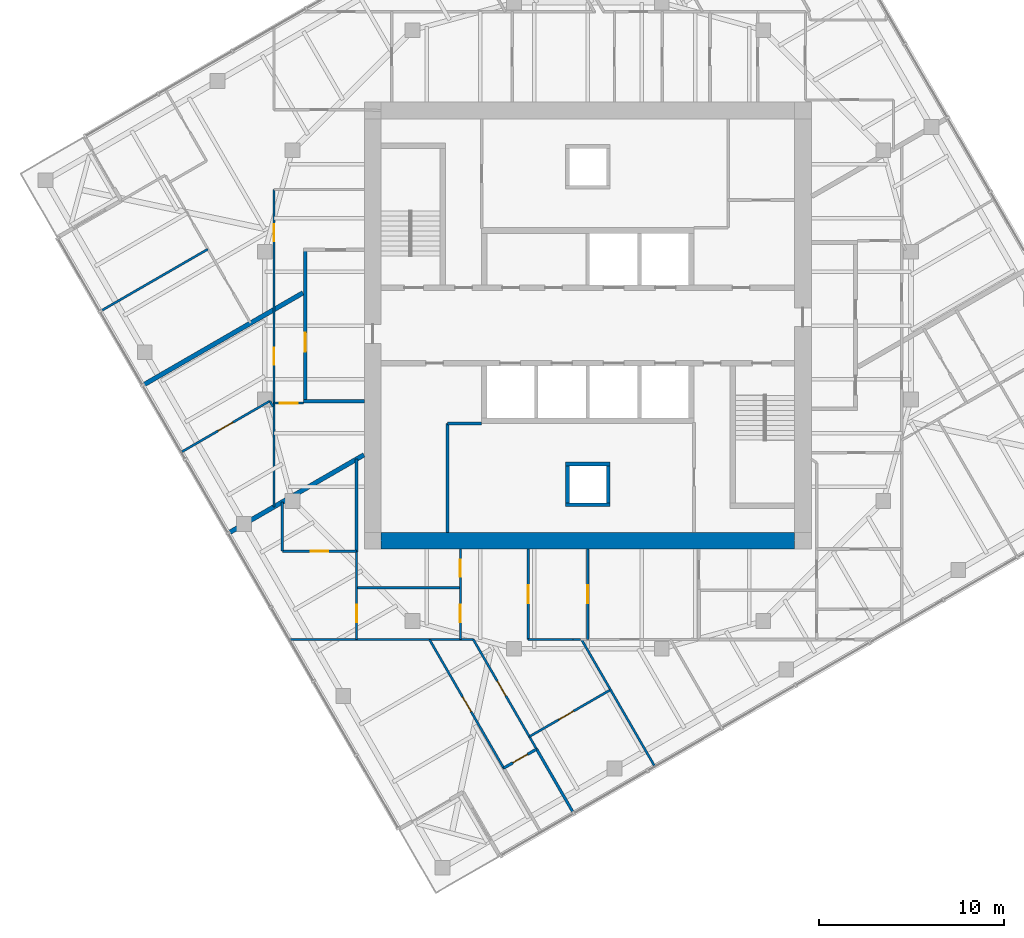
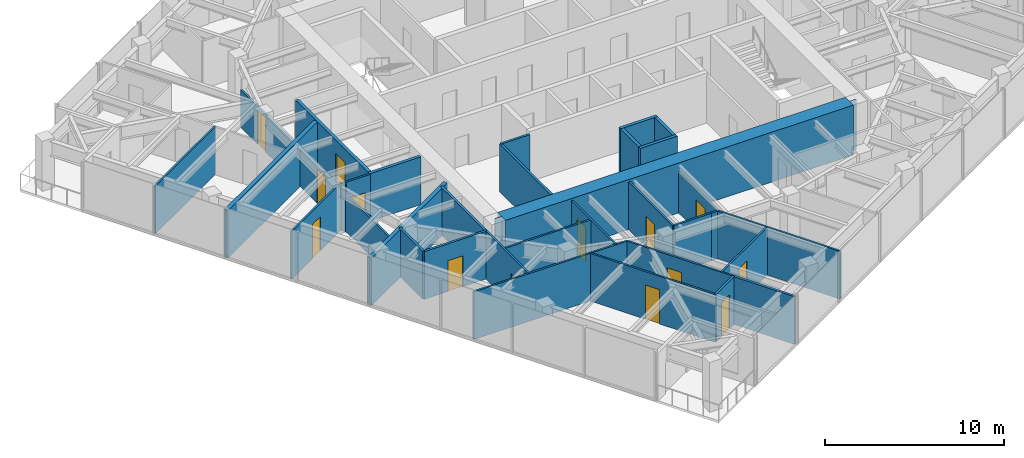
# One storey, part 7 of 13: 33 walls, 15 doors, 15 openings.
"""IFC4 building model written with IfcOpenShell, lengths in metres."""

from ifc_helpers import new_model, si_unit, direction, frame, frame_2d, origin, place, context, subcontext, project, spatial, polyline, rectangle, outline, extrude, material, layer, layer_set, type_object, element, fill, save


model = new_model("IFC4")

# Units and contexts
model_context = context("Model", 3, precision=1e-05, world=origin(), true_north=direction((0.0, 1.0)))
body_context = subcontext(model_context, "Body", "Model", "MODEL_VIEW")
ifc_project = project(units=[si_unit("LENGTHUNIT", "METRE"), si_unit("AREAUNIT", "SQUARE_METRE"), si_unit("VOLUMEUNIT", "CUBIC_METRE"), si_unit("PLANEANGLEUNIT", "RADIAN"), si_unit("MASSUNIT", "GRAM", prefix="KILO")], contexts=[model_context])

# Site, building, storey
site_placement = place(None, origin())
site = spatial("IfcSite", under=ifc_project, at=site_placement, CompositionType="ELEMENT")
building_placement = place(site_placement, origin())
building = spatial("IfcBuilding", under=site, at=building_placement, Name="Torsade Residences", CompositionType="ELEMENT")
storey_placement = place(building_placement, frame((0.0, 0.0, 208.199951171875)))
storey = spatial("IfcBuildingStorey", under=building, at=storey_placement, Name="L57", CompositionType="ELEMENT", Elevation=208.199951171875)

# Wall
ifc_material_1 = material(Name="Concrete 80 MPa", Category="concrete")
ifc_layer_1 = layer(ifc_material_1, 0.89990234375)
ifc_layer_set_1 = layer_set([ifc_layer_1], Name="Concrete 80 MPa")
wall_type_1 = type_object("IfcWallType", Name="CORE WALL 900", PredefinedType="SHEAR", material=ifc_layer_set_1)
wall_1_placement = place(storey_placement, frame((51.199951171875, 18.35009765625, 0.0), z_axis=(0.0, 0.0, 1.0), x_axis=(-1.0, 0.0, 0.0)))
element("IfcWall", 1, at=wall_1_placement, inside=storey, type_object=wall_type_1, Name="Core wall S L57", PredefinedType="SHEAR", context=body_context, shape_type="SweptSolid", body=[
    extrude(outline(polyline([(0.0, -0.449951171875), (22.39990234375, -0.449951171875), (22.39990234375, -0.02490234375), (22.849853515625, -0.02490234375), (22.849853515625, 0.02490234375), (22.39990234375, 0.02490234375), (22.39990234375, 0.449951171875), (0.0, 0.449951171875), (0.0, 0.02490234375), (-0.449951171875, 0.02490234375), (-0.449951171875, -0.02490234375), (0.0, -0.02490234375), (0.0, -0.449951171875)])), origin(), (0.0, 0.0, 1.0), 3.400146484375),
])

# Wall, opening, door
ifc_material_2 = material(Name="Plasterboard on steel stud", Category="steel")
ifc_layer_2 = layer(ifc_material_2, 0.199951171875)
ifc_layer_set_2 = layer_set([ifc_layer_2], Name="Plasterboard on steel stud")
wall_type_2 = type_object("IfcWallType", Name="CORRIDOR WALL 200", PredefinedType="PARTITIONING", material=ifc_layer_set_2)
wall_2_placement = place(storey_placement, frame((24.699951171875, 25.89990234375, 0.0), z_axis=(0.0, 0.0, 1.0), x_axis=(0.0, 1.0, 0.0)))
wall_2 = element("IfcWall", 2, at=wall_2_placement, inside=storey, type_object=wall_type_2, Name="Corridor wall L57", PredefinedType="PARTITIONING", context=body_context, shape_type="SweptSolid", body=[
    extrude(rectangle(XDim=8.2001953125, YDim=0.199951171875, at=frame_2d((4.10009765625, 0.0))), origin(), (0.0, 0.0, 1.0), 3.25),
])
opening_1_placement = place(wall_2_placement, frame((2.68701171875, 0.0, 0.0)))
opening_1 = element("IfcOpeningElement", 3, at=opening_1_placement, cuts=wall_2, Name="Opening D01", PredefinedType="OPENING", context=body_context, shape_type="SweptSolid", body=[
    extrude(rectangle(XDim=1.02001953125, YDim=2.340087890625, at=frame_2d((0.510009765625, 1.169921875))), frame((0.0, 0.10986328125, 0.0), z_axis=(0.0, -1.0, 0.0), x_axis=(1.0, 0.0, 0.0)), (0.0, 0.0, 1.0), 0.219970703125),
])
ifc_material_3 = material(Name="Solid-core timber fire door", Category="wood")
door_type_1 = type_object("IfcDoorType", Name="APARTMENT ENTRY DOOR 1020x2340", OperationType="NOTDEFINED", PredefinedType="DOOR", material=ifc_material_3)
door_1_placement = place(opening_1_placement, origin())
door_1 = element("IfcDoor", 4, at=door_1_placement, inside=storey, type_object=door_type_1, Name="Door Residential corridor to Kitchen and dining", OperationType="SINGLE_SWING_RIGHT", OverallHeight=2.340087890625, OverallWidth=1.02001953125, PredefinedType="DOOR", context=body_context, shape_type="SweptSolid", body=[
    extrude(rectangle(XDim=1.02001953125, YDim=2.340087890625, at=frame_2d((0.510009765625, 1.169921875))), frame((0.0, 0.02490234375, 0.0), z_axis=(0.0, -1.0, 0.0), x_axis=(1.0, 0.0, 0.0)), (0.0, 0.0, 1.0), 0.050048828125),
])
fill(opening_1, door_1)

# Wall
wall_3_placement = place(storey_placement, frame((27.89990234375, 25.89990234375, 0.0), z_axis=(0.0, 0.0, 1.0), x_axis=(-1.0, 0.0, 0.0)))
element("IfcWall", 5, at=wall_3_placement, inside=storey, type_object=wall_type_2, Name="Corridor wall L57", PredefinedType="PARTITIONING", context=body_context, shape_type="SweptSolid", body=[
    extrude(rectangle(XDim=3.2998046875, YDim=0.199951171875, at=frame_2d((1.64990234375, 0.0))), origin(), (0.0, 0.0, 1.0), 3.25),
])

# Wall, opening, door
ifc_material_4 = material(Name="Plasterboard on steel stud", Category="steel")
ifc_layer_3 = layer(ifc_material_4, 0.1201171875)
ifc_layer_set_3 = layer_set([ifc_layer_3], Name="Plasterboard on steel stud")
wall_type_3 = type_object("IfcWallType", Name="PARTITION 120", PredefinedType="PARTITIONING", material=ifc_layer_set_3)
wall_4_placement = place(storey_placement, frame((24.60009765625, 25.800048828125, 0.0), z_axis=(0.0, 0.0, 1.0), x_axis=(-1.0, 0.0, 0.0)))
wall_4 = element("IfcWall", 6, at=wall_4_placement, inside=storey, type_object=wall_type_3, Name="Partition L57", PredefinedType="PARTITIONING", context=body_context, shape_type="SweptSolid", body=[
    extrude(rectangle(XDim=1.60009765625, YDim=0.1201171875, at=frame_2d((0.800048828125, 0.0))), origin(), (0.0, 0.0, 1.0), 3.25),
])
opening_2_placement = place(wall_4_placement, frame((0.320068359375, 0.0, 0.0)))
opening_2 = element("IfcOpeningElement", 7, at=opening_2_placement, cuts=wall_4, Name="Opening D05", PredefinedType="OPENING", context=body_context, shape_type="SweptSolid", body=[
    extrude(rectangle(XDim=0.9599609375, YDim=2.10009765625, at=frame_2d((0.47998046875, 1.050048828125))), frame((0.0, 0.070068359375, 0.0), z_axis=(0.0, -1.0, 0.0), x_axis=(1.0, 0.0, 0.0)), (0.0, 0.0, 1.0), 0.14013671875),
])
ifc_material_5 = material(Name="Hollow-core timber door in a steel cavity frame", Category="steel")
door_type_2 = type_object("IfcDoorType", Name="BATHROOM CAVITY SLIDING DOOR 960", OperationType="SLIDING_TO_LEFT", PredefinedType="DOOR", material=ifc_material_5)
door_2_placement = place(opening_2_placement, origin())
door_2 = element("IfcDoor", 8, at=door_2_placement, inside=storey, type_object=door_type_2, Name="Door Kitchen and dining to Bathroom", OperationType="SLIDING_TO_LEFT", OverallHeight=2.10009765625, OverallWidth=0.9599609375, PredefinedType="DOOR", context=body_context, shape_type="SweptSolid", body=[
    extrude(rectangle(XDim=0.9599609375, YDim=2.10009765625, at=frame_2d((0.47998046875, 1.050048828125))), frame((0.0, 0.02490234375, 0.0), z_axis=(0.0, -1.0, 0.0), x_axis=(1.0, 0.0, 0.0)), (0.0, 0.0, 1.0), 0.050048828125),
])
fill(opening_2, door_2)

# Wall, openings, doors
wall_5_placement = place(storey_placement, frame((23.0, 20.18505859375, 0.0), z_axis=(0.0, 0.0, 1.0), x_axis=(0.0, 1.0, 0.0)))
wall_5 = element("IfcWall", 9, at=wall_5_placement, inside=storey, type_object=wall_type_3, Name="Partition L57", PredefinedType="PARTITIONING", context=body_context, shape_type="SweptSolid", body=[
    extrude(rectangle(XDim=17.180419921875, YDim=0.1201171875, at=frame_2d((8.59033203125, 0.0))), origin(), (0.0, 0.0, 1.0), 2.550048828125),
])
opening_3_placement = place(wall_5_placement, frame((7.68798828125, 0.0, 0.0)))
opening_3 = element("IfcOpeningElement", 10, at=opening_3_placement, cuts=wall_5, Name="Opening D02", PredefinedType="OPENING", context=body_context, shape_type="SweptSolid", body=[
    extrude(rectangle(XDim=0.919921875, YDim=2.340087890625, at=frame_2d((0.4599609375, 1.169921875))), frame((0.0, 0.070068359375, 0.0), z_axis=(0.0, -1.0, 0.0), x_axis=(1.0, 0.0, 0.0)), (0.0, 0.0, 1.0), 0.14013671875),
])
opening_4_placement = place(wall_5_placement, frame((14.37060546875, 0.0, 0.0)))
opening_4 = element("IfcOpeningElement", 11, at=opening_4_placement, cuts=wall_5, Name="Opening D02", PredefinedType="OPENING", context=body_context, shape_type="SweptSolid", body=[
    extrude(rectangle(XDim=0.919921875, YDim=2.340087890625, at=frame_2d((0.4599609375, 1.169921875))), frame((0.0, 0.070068359375, 0.0), z_axis=(0.0, -1.0, 0.0), x_axis=(1.0, 0.0, 0.0)), (0.0, 0.0, 1.0), 0.14013671875),
])
ifc_material_6 = material(Name="Hollow-core timber door", Category="wood")
door_type_3 = type_object("IfcDoorType", Name="INTERNAL DOOR 920x2340", OperationType="NOTDEFINED", PredefinedType="DOOR", material=ifc_material_6)
door_3_placement = place(opening_3_placement, origin())
door_3 = element("IfcDoor", 12, at=door_3_placement, inside=storey, type_object=door_type_3, Name="Door Kitchen and dining to Living room", OperationType="SINGLE_SWING_LEFT", OverallHeight=2.340087890625, OverallWidth=0.919921875, PredefinedType="DOOR", context=body_context, shape_type="SweptSolid", body=[
    extrude(rectangle(XDim=0.919921875, YDim=2.340087890625, at=frame_2d((0.4599609375, 1.169921875))), frame((0.0, 0.02490234375, 0.0), z_axis=(0.0, -1.0, 0.0), x_axis=(1.0, 0.0, 0.0)), (0.0, 0.0, 1.0), 0.050048828125),
])
fill(opening_3, door_3)
door_4_placement = place(opening_4_placement, origin())
door_4 = element("IfcDoor", 13, at=door_4_placement, inside=storey, type_object=door_type_3, Name="Door Kitchen and dining to Living room", OperationType="SINGLE_SWING_LEFT", OverallHeight=2.340087890625, OverallWidth=0.919921875, PredefinedType="DOOR", context=body_context, shape_type="SweptSolid", body=[
    extrude(rectangle(XDim=0.919921875, YDim=2.340087890625, at=frame_2d((0.4599609375, 1.169921875))), frame((0.0, 0.02490234375, 0.0), z_axis=(0.0, -1.0, 0.0), x_axis=(1.0, 0.0, 0.0)), (0.0, 0.0, 1.0), 0.050048828125),
])
fill(opening_4, door_4)

# Wall
wall_6_placement = place(storey_placement, frame((22.949951171875, 25.612060546875, 0.0), z_axis=(0.0, 0.0, 1.0), x_axis=(-0.49996389635, 0.866046247233, 0.0)))
element("IfcWall", 14, at=wall_6_placement, inside=storey, type_object=wall_type_3, Name="Partition L57", PredefinedType="PARTITIONING", context=body_context, shape_type="SweptSolid", body=[
    extrude(rectangle(XDim=0.35009765625, YDim=0.1201171875, at=frame_2d((0.175048828125, 0.0))), origin(), (0.0, 0.0, 1.0), 3.25),
])

# Wall, opening, door
wall_7_placement = place(storey_placement, frame((22.77490234375, 25.915283203125, 0.0), z_axis=(0.0, 0.0, 1.0), x_axis=(-0.866019274569, -0.500010615962, 0.0)))
wall_7 = element("IfcWall", 15, at=wall_7_placement, inside=storey, type_object=wall_type_3, Name="Partition L57", PredefinedType="PARTITIONING", context=body_context, shape_type="SweptSolid", body=[
    extrude(rectangle(XDim=5.50048828125, YDim=0.1201171875, at=frame_2d((2.750244140625, 0.0))), origin(), (0.0, 0.0, 1.0), 3.25),
])
opening_5_placement = place(wall_7_placement, frame((2.31005859375, 0.0, 0.0)))
opening_5 = element("IfcOpeningElement", 16, at=opening_5_placement, cuts=wall_7, Name="Opening D02", PredefinedType="OPENING", context=body_context, shape_type="SweptSolid", body=[
    extrude(rectangle(XDim=0.919921875, YDim=2.340087890625, at=frame_2d((0.4599609375, 1.169921875))), frame((0.0, 0.070068359375, 0.0), z_axis=(0.0, -1.0, 0.0), x_axis=(1.0, 0.0, 0.0)), (0.0, 0.0, 1.0), 0.14013671875),
])
door_5_placement = place(opening_5_placement, origin())
door_5 = element("IfcDoor", 17, at=door_5_placement, inside=storey, type_object=door_type_3, Name="Door Living room to Bedroom 1", OperationType="SINGLE_SWING_LEFT", OverallHeight=2.340087890625, OverallWidth=0.919921875, PredefinedType="DOOR", context=body_context, shape_type="SweptSolid", body=[
    extrude(rectangle(XDim=0.919921875, YDim=2.340087890625, at=frame_2d((0.4599609375, 1.169921875))), frame((0.0, 0.02490234375, 0.0), z_axis=(0.0, -1.0, 0.0), x_axis=(1.0, 0.0, 0.0)), (0.0, 0.0, 1.0), 0.050048828125),
])
fill(opening_5, door_5)

# Wall
wall_8_placement = place(storey_placement, frame((27.473388671875, 15.8046875, 0.0), z_axis=(0.0, 0.0, 1.0), x_axis=(1.0, 0.0, 0.0)))
element("IfcWall", 18, at=wall_8_placement, inside=storey, type_object=wall_type_3, Name="Partition L57", PredefinedType="PARTITIONING", context=body_context, shape_type="SweptSolid", body=[
    extrude(rectangle(XDim=5.62451171875, YDim=0.1201171875, at=frame_2d((2.812255859375, 0.0))), origin(), (0.0, 0.0, 1.0), 3.25),
])

# Wall, opening, door
wall_9_placement = place(storey_placement, frame((27.473388671875, 13.0, 0.0), z_axis=(0.0, 0.0, 1.0), x_axis=(0.0, 1.0, 0.0)))
wall_9 = element("IfcWall", 19, at=wall_9_placement, inside=storey, type_object=wall_type_3, Name="Partition L57", PredefinedType="PARTITIONING", context=body_context, shape_type="SweptSolid", body=[
    extrude(rectangle(XDim=4.732177734375, YDim=0.1201171875, at=frame_2d((2.3662109375, 0.0))), origin(), (0.0, 0.0, 1.0), 3.25),
])
opening_6_placement = place(wall_9_placement, frame((0.92236328125, 0.0, 0.0)))
opening_6 = element("IfcOpeningElement", 20, at=opening_6_placement, cuts=wall_9, Name="Opening D05", PredefinedType="OPENING", context=body_context, shape_type="SweptSolid", body=[
    extrude(rectangle(XDim=0.9599609375, YDim=2.10009765625, at=frame_2d((0.47998046875, 1.050048828125))), frame((0.0, 0.070068359375, 0.0), z_axis=(0.0, -1.0, 0.0), x_axis=(1.0, 0.0, 0.0)), (0.0, 0.0, 1.0), 0.14013671875),
])
door_6_placement = place(opening_6_placement, origin())
door_6 = element("IfcDoor", 21, at=door_6_placement, inside=storey, type_object=door_type_2, Name="Door Bathroom to WC", OperationType="SLIDING_TO_LEFT", OverallHeight=2.10009765625, OverallWidth=0.9599609375, PredefinedType="DOOR", context=body_context, shape_type="SweptSolid", body=[
    extrude(rectangle(XDim=0.9599609375, YDim=2.10009765625, at=frame_2d((0.47998046875, 1.050048828125))), frame((0.0, 0.02490234375, 0.0), z_axis=(0.0, -1.0, 0.0), x_axis=(1.0, 0.0, 0.0)), (0.0, 0.0, 1.0), 0.050048828125),
])
fill(opening_6, door_6)

# Wall
wall_10_placement = place(storey_placement, frame((33.79345703125, 13.0, 0.0), z_axis=(0.0, 0.0, 1.0), x_axis=(-1.0, 0.0, 0.0)))
element("IfcWall", 22, at=wall_10_placement, inside=storey, type_object=wall_type_3, Name="Partition L57", PredefinedType="PARTITIONING", context=body_context, shape_type="SweptSolid", body=[
    extrude(rectangle(XDim=9.9130859375, YDim=0.1201171875, at=frame_2d((4.95654296875, 0.0))), origin(), (0.0, 0.0, 1.0), 3.25),
])

# Wall, openings, doors
wall_11_placement = place(storey_placement, frame((33.097900390625, 17.89990234375, 0.0), z_axis=(0.0, 0.0, 1.0), x_axis=(0.0, -1.0, 0.0)))
wall_11 = element("IfcWall", 23, at=wall_11_placement, inside=storey, type_object=wall_type_3, Name="Partition L57", PredefinedType="PARTITIONING", context=body_context, shape_type="SweptSolid", body=[
    extrude(rectangle(XDim=4.89990234375, YDim=0.1201171875, at=frame_2d((2.449951171875, 0.0))), origin(), (0.0, 0.0, 1.0), 3.25),
])
opening_7_placement = place(wall_11_placement, frame((3.017578125, 0.0, 0.0)))
opening_7 = element("IfcOpeningElement", 24, at=opening_7_placement, cuts=wall_11, Name="Opening D05", PredefinedType="OPENING", context=body_context, shape_type="SweptSolid", body=[
    extrude(rectangle(XDim=0.9599609375, YDim=2.10009765625, at=frame_2d((0.47998046875, 1.050048828125))), frame((0.0, 0.070068359375, 0.0), z_axis=(0.0, -1.0, 0.0), x_axis=(1.0, 0.0, 0.0)), (0.0, 0.0, 1.0), 0.14013671875),
])
opening_8_placement = place(wall_11_placement, frame((0.587646484375, 0.0, 0.0)))
opening_8 = element("IfcOpeningElement", 25, at=opening_8_placement, cuts=wall_11, Name="Opening D02", PredefinedType="OPENING", context=body_context, shape_type="SweptSolid", body=[
    extrude(rectangle(XDim=0.919921875, YDim=2.340087890625, at=frame_2d((0.4599609375, 1.169921875))), frame((0.0, 0.070068359375, 0.0), z_axis=(0.0, -1.0, 0.0), x_axis=(1.0, 0.0, 0.0)), (0.0, 0.0, 1.0), 0.14013671875),
])
door_7_placement = place(opening_7_placement, origin())
door_7 = element("IfcDoor", 26, at=door_7_placement, inside=storey, type_object=door_type_2, Name="Door Walk-in robe 4 to Bathroom", OperationType="SLIDING_TO_LEFT", OverallHeight=2.10009765625, OverallWidth=0.9599609375, PredefinedType="DOOR", context=body_context, shape_type="SweptSolid", body=[
    extrude(rectangle(XDim=0.9599609375, YDim=2.10009765625, at=frame_2d((0.47998046875, 1.050048828125))), frame((0.0, 0.02490234375, 0.0), z_axis=(0.0, -1.0, 0.0), x_axis=(1.0, 0.0, 0.0)), (0.0, 0.0, 1.0), 0.050048828125),
])
fill(opening_7, door_7)
door_8_placement = place(opening_8_placement, origin())
door_8 = element("IfcDoor", 27, at=door_8_placement, inside=storey, type_object=door_type_3, Name="Door Walk-in robe 4 to Dressing room", OperationType="SINGLE_SWING_LEFT", OverallHeight=2.340087890625, OverallWidth=0.919921875, PredefinedType="DOOR", context=body_context, shape_type="SweptSolid", body=[
    extrude(rectangle(XDim=0.919921875, YDim=2.340087890625, at=frame_2d((0.4599609375, 1.169921875))), frame((0.0, 0.02490234375, 0.0), z_axis=(0.0, -1.0, 0.0), x_axis=(1.0, 0.0, 0.0)), (0.0, 0.0, 1.0), 0.050048828125),
])
fill(opening_8, door_8)

# Wall, opening, door
wall_12_placement = place(storey_placement, frame((39.993896484375, 17.89990234375, 0.0), z_axis=(0.0, 0.0, 1.0), x_axis=(0.0, -1.0, 0.0)))
wall_12 = element("IfcWall", 28, at=wall_12_placement, inside=storey, type_object=wall_type_3, Name="Partition L57", PredefinedType="PARTITIONING", context=body_context, shape_type="SweptSolid", body=[
    extrude(rectangle(XDim=4.89990234375, YDim=0.1201171875, at=frame_2d((2.449951171875, 0.0))), origin(), (0.0, 0.0, 1.0), 2.796142578125),
])
opening_9_placement = place(wall_12_placement, frame((1.969970703125, 0.0, 0.0)))
opening_9 = element("IfcOpeningElement", 29, at=opening_9_placement, cuts=wall_12, Name="Opening D05", PredefinedType="OPENING", context=body_context, shape_type="SweptSolid", body=[
    extrude(rectangle(XDim=0.9599609375, YDim=2.10009765625, at=frame_2d((0.47998046875, 1.050048828125))), frame((0.0, 0.070068359375, 0.0), z_axis=(0.0, -1.0, 0.0), x_axis=(1.0, 0.0, 0.0)), (0.0, 0.0, 1.0), 0.14013671875),
])
door_9_placement = place(opening_9_placement, origin())
door_9 = element("IfcDoor", 30, at=door_9_placement, inside=storey, type_object=door_type_2, Name="Door Laundry to Ensuite", OperationType="SLIDING_TO_LEFT", OverallHeight=2.10009765625, OverallWidth=0.9599609375, PredefinedType="DOOR", context=body_context, shape_type="SweptSolid", body=[
    extrude(rectangle(XDim=0.9599609375, YDim=2.10009765625, at=frame_2d((0.47998046875, 1.050048828125))), frame((0.0, 0.02490234375, 0.0), z_axis=(0.0, -1.0, 0.0), x_axis=(1.0, 0.0, 0.0)), (0.0, 0.0, 1.0), 0.050048828125),
])
fill(opening_9, door_9)

# Wall
wall_13_placement = place(storey_placement, frame((39.191650390625, 13.0, 0.0), z_axis=(0.0, 0.0, 1.0), x_axis=(-1.0, 0.0, 0.0)))
element("IfcWall", 31, at=wall_13_placement, inside=storey, type_object=wall_type_3, Name="Partition L57", PredefinedType="PARTITIONING", context=body_context, shape_type="SweptSolid", body=[
    extrude(rectangle(XDim=2.420654296875, YDim=0.1201171875, at=frame_2d((1.21044921875, 0.0))), origin(), (0.0, 0.0, 1.0), 3.25),
])

# Wall, opening, door
wall_14_placement = place(storey_placement, frame((36.77099609375, 13.0, 0.0), z_axis=(0.0, 0.0, 1.0), x_axis=(0.0, 1.0, 0.0)))
wall_14 = element("IfcWall", 32, at=wall_14_placement, inside=storey, type_object=wall_type_3, Name="Partition L57", PredefinedType="PARTITIONING", context=body_context, shape_type="SweptSolid", body=[
    extrude(rectangle(XDim=4.89990234375, YDim=0.1201171875, at=frame_2d((2.449951171875, 0.0))), origin(), (0.0, 0.0, 1.0), 3.25),
])
opening_10_placement = place(wall_14_placement, frame((1.969970703125, 0.0, 0.0)))
opening_10 = element("IfcOpeningElement", 33, at=opening_10_placement, cuts=wall_14, Name="Opening D05", PredefinedType="OPENING", context=body_context, shape_type="SweptSolid", body=[
    extrude(rectangle(XDim=0.9599609375, YDim=2.10009765625, at=frame_2d((0.47998046875, 1.050048828125))), frame((0.0, 0.070068359375, 0.0), z_axis=(0.0, -1.0, 0.0), x_axis=(1.0, 0.0, 0.0)), (0.0, 0.0, 1.0), 0.14013671875),
])
door_10_placement = place(opening_10_placement, origin())
door_10 = element("IfcDoor", 34, at=door_10_placement, inside=storey, type_object=door_type_2, Name="Door Ensuite to Walk-in robe 4", OperationType="SLIDING_TO_LEFT", OverallHeight=2.10009765625, OverallWidth=0.9599609375, PredefinedType="DOOR", context=body_context, shape_type="SweptSolid", body=[
    extrude(rectangle(XDim=0.9599609375, YDim=2.10009765625, at=frame_2d((0.47998046875, 1.050048828125))), frame((0.0, 0.02490234375, 0.0), z_axis=(0.0, -1.0, 0.0), x_axis=(1.0, 0.0, 0.0)), (0.0, 0.0, 1.0), 0.050048828125),
])
fill(opening_10, door_10)

wall_15_placement = place(storey_placement, frame((31.41943359375, 13.0, 0.0), z_axis=(0.0, 0.0, 1.0), x_axis=(0.49999569496, -0.866027889286, 0.0)))
wall_15 = element("IfcWall", 35, at=wall_15_placement, inside=storey, type_object=wall_type_3, Name="Partition L57", PredefinedType="PARTITIONING", context=body_context, shape_type="SweptSolid", body=[
    extrude(rectangle(XDim=8.09521484375, YDim=0.1201171875, at=frame_2d((4.047607421875, 0.0))), origin(), (0.0, 0.0, 1.0), 3.25),
])
opening_11_placement = place(wall_15_placement, frame((3.587646484375, 0.0, 0.0)))
opening_11 = element("IfcOpeningElement", 36, at=opening_11_placement, cuts=wall_15, Name="Opening D02", PredefinedType="OPENING", context=body_context, shape_type="SweptSolid", body=[
    extrude(rectangle(XDim=0.919921875, YDim=2.340087890625, at=frame_2d((0.4599609375, 1.169921875))), frame((0.0, 0.070068359375, 0.0), z_axis=(0.0, -1.0, 0.0), x_axis=(1.0, 0.0, 0.0)), (0.0, 0.0, 1.0), 0.14013671875),
])
door_11_placement = place(opening_11_placement, origin())
door_11 = element("IfcDoor", 37, at=door_11_placement, inside=storey, type_object=door_type_3, Name="Door Walk-in robe 2 to Living room", OperationType="SINGLE_SWING_LEFT", OverallHeight=2.340087890625, OverallWidth=0.919921875, PredefinedType="DOOR", context=body_context, shape_type="SweptSolid", body=[
    extrude(rectangle(XDim=0.919921875, YDim=2.340087890625, at=frame_2d((0.4599609375, 1.169921875))), frame((0.0, 0.02490234375, 0.0), z_axis=(0.0, -1.0, 0.0), x_axis=(1.0, 0.0, 0.0)), (0.0, 0.0, 1.0), 0.050048828125),
])
fill(opening_11, door_11)

# Wall
wall_16_placement = place(storey_placement, frame((43.609130859375, 6.149169921875, 0.0), z_axis=(0.0, 0.0, 1.0), x_axis=(-0.500022546589, 0.866012386114, 0.0)))
element("IfcWall", 38, at=wall_16_placement, inside=storey, type_object=wall_type_3, Name="Partition L57", PredefinedType="PARTITIONING", context=body_context, shape_type="SweptSolid", body=[
    extrude(rectangle(XDim=7.910888671875, YDim=0.1201171875, at=frame_2d((3.95556640625, 0.0))), origin(), (0.0, 0.0, 1.0), 3.25),
])

# Wall, opening, door
wall_17_placement = place(storey_placement, frame((33.79345703125, 13.0, 0.0), z_axis=(0.0, 0.0, 1.0), x_axis=(0.500005944398, -0.866021971758, 0.0)))
wall_17 = element("IfcWall", 39, at=wall_17_placement, inside=storey, type_object=wall_type_3, Name="Partition L57", PredefinedType="PARTITIONING", context=body_context, shape_type="SweptSolid", body=[
    extrude(rectangle(XDim=6.8583984375, YDim=0.1201171875, at=frame_2d((3.42919921875, 0.0))), origin(), (0.0, 0.0, 1.0), 3.25),
])
opening_12_placement = place(wall_17_placement, frame((2.603515625, 0.0, 0.0)))
opening_12 = element("IfcOpeningElement", 40, at=opening_12_placement, cuts=wall_17, Name="Opening D02", PredefinedType="OPENING", context=body_context, shape_type="SweptSolid", body=[
    extrude(rectangle(XDim=0.919921875, YDim=2.340087890625, at=frame_2d((0.4599609375, 1.169921875))), frame((0.0, 0.070068359375, 0.0), z_axis=(0.0, -1.0, 0.0), x_axis=(1.0, 0.0, 0.0)), (0.0, 0.0, 1.0), 0.14013671875),
])
door_12_placement = place(opening_12_placement, origin())
door_12 = element("IfcDoor", 41, at=door_12_placement, inside=storey, type_object=door_type_3, Name="Door Walk-in robe 4 to Walk-in robe 2", OperationType="SINGLE_SWING_RIGHT", OverallHeight=2.340087890625, OverallWidth=0.919921875, PredefinedType="DOOR", context=body_context, shape_type="SweptSolid", body=[
    extrude(rectangle(XDim=0.919921875, YDim=2.340087890625, at=frame_2d((0.4599609375, 1.169921875))), frame((0.0, 0.02490234375, 0.0), z_axis=(0.0, -1.0, 0.0), x_axis=(1.0, 0.0, 0.0)), (0.0, 0.0, 1.0), 0.050048828125),
])
fill(opening_12, door_12)

wall_18_placement = place(storey_placement, frame((36.83203125, 7.7373046875, 0.0), z_axis=(0.0, 0.0, 1.0), x_axis=(0.866014397438, 0.500019063067, 0.0)))
wall_18 = element("IfcWall", 42, at=wall_18_placement, inside=storey, type_object=wall_type_3, Name="Partition L57", PredefinedType="PARTITIONING", context=body_context, shape_type="SweptSolid", body=[
    extrude(rectangle(XDim=5.034912109375, YDim=0.1201171875, at=frame_2d((2.517578125, 0.0))), origin(), (0.0, 0.0, 1.0), 3.25),
])
opening_13_placement = place(wall_18_placement, frame((1.8525390625, 0.0, 0.0)))
opening_13 = element("IfcOpeningElement", 43, at=opening_13_placement, cuts=wall_18, Name="Opening D02", PredefinedType="OPENING", context=body_context, shape_type="SweptSolid", body=[
    extrude(rectangle(XDim=0.919921875, YDim=2.340087890625, at=frame_2d((0.4599609375, 1.169921875))), frame((0.0, 0.070068359375, 0.0), z_axis=(0.0, -1.0, 0.0), x_axis=(1.0, 0.0, 0.0)), (0.0, 0.0, 1.0), 0.14013671875),
])
door_13_placement = place(opening_13_placement, origin())
door_13 = element("IfcDoor", 44, at=door_13_placement, inside=storey, type_object=door_type_3, Name="Door Walk-in robe 4 to Media room", OperationType="SINGLE_SWING_LEFT", OverallHeight=2.340087890625, OverallWidth=0.919921875, PredefinedType="DOOR", context=body_context, shape_type="SweptSolid", body=[
    extrude(rectangle(XDim=0.919921875, YDim=2.340087890625, at=frame_2d((0.4599609375, 1.169921875))), frame((0.0, 0.02490234375, 0.0), z_axis=(0.0, -1.0, 0.0), x_axis=(1.0, 0.0, 0.0)), (0.0, 0.0, 1.0), 0.050048828125),
])
fill(opening_13, door_13)

# Walls
wall_19_placement = place(storey_placement, frame((13.611572265625, 30.7861328125, 0.0), z_axis=(0.0, 0.0, 1.0), x_axis=(0.866030409726, 0.499991329354, 0.0)))
element("IfcWall", 45, at=wall_19_placement, inside=storey, type_object=wall_type_3, Name="Partition L57", PredefinedType="PARTITIONING", context=body_context, shape_type="SweptSolid", body=[
    extrude(rectangle(XDim=6.70703125, YDim=0.1201171875, at=frame_2d((3.353515625, 0.0))), origin(), (0.0, 0.0, 1.0), 3.25),
])
wall_20_placement = place(storey_placement, frame((39.191650390625, 13.0, 0.0), z_axis=(0.0, 0.0, 1.0), x_axis=(1.0, 0.0, 0.0)))
element("IfcWall", 46, at=wall_20_placement, inside=storey, type_object=wall_type_3, Name="Partition L57", PredefinedType="PARTITIONING", context=body_context, shape_type="SweptSolid", body=[
    extrude(rectangle(XDim=0.404296875, YDim=0.1201171875, at=frame_2d((0.2021484375, 0.0))), origin(), (0.0, 0.0, 1.0), 3.25),
])
ifc_material_7 = material(Name="Masonry-lined stud party wall", Category="masonry")
ifc_layer_4 = layer(ifc_material_7, 0.25)
ifc_layer_set_4 = layer_set([ifc_layer_4], Name="Masonry-lined stud party wall")
wall_type_4 = type_object("IfcWallType", Name="PARTY WALL 250", PredefinedType="PARTITIONING", material=ifc_layer_set_4)
wall_21_placement = place(storey_placement, frame((20.514404296875, 18.75, 0.0), z_axis=(0.0, 0.0, 1.0), x_axis=(0.866020489494, 0.500008511703, 0.0)))
element("IfcWall", 47, at=wall_21_placement, inside=storey, type_object=wall_type_4, Name="Party wall L57", PredefinedType="PARTITIONING", context=body_context, shape_type="SweptSolid", body=[
    extrude(rectangle(XDim=8.495849609375, YDim=0.25, at=frame_2d((4.248046875, 0.0))), origin(), (0.0, 0.0, 1.0), 3.25),
])
wall_22_placement = place(storey_placement, frame((15.889404296875, 26.7607421875, 0.0), z_axis=(0.0, 0.0, 1.0), x_axis=(0.866024190901, 0.50000210077, 0.0)))
element("IfcWall", 48, at=wall_22_placement, inside=storey, type_object=wall_type_4, Name="Party wall L57", PredefinedType="PARTITIONING", context=body_context, shape_type="SweptSolid", body=[
    extrude(rectangle(XDim=10.02587890625, YDim=0.25, at=frame_2d((5.012939453125, 0.0))), origin(), (0.0, 0.0, 1.0), 3.25),
])
ifc_material_8 = material(Name="Reinforced blockwork", Category="masonry")
ifc_layer_5 = layer(ifc_material_8, 0.199951171875)
ifc_layer_set_5 = layer_set([ifc_layer_5], Name="Reinforced blockwork")
wall_type_5 = type_object("IfcWallType", Name="RISER SHAFT WALL 200", PredefinedType="SOLIDWALL", material=ifc_layer_set_5)
for number, where, z_axis, x_axis, name in (
    (49, (38.89990234375, 22.39990234375, 0.0), (0.0, 0.0, 1.0), (0.0, -1.0, 0.0), "Core wall RS2a L57"),
    (50, (41.10009765625, 22.39990234375, 0.0), (0.0, 0.0, 1.0), (0.0, -1.0, 0.0), "Core wall RS2b L57"),
):
    element("IfcWall", number, at=place(storey_placement, frame(where, z_axis=z_axis, x_axis=x_axis)), inside=storey, type_object=wall_type_5, Name=name, PredefinedType="SOLIDWALL", context=body_context, shape_type="SweptSolid", body=[
        extrude(rectangle(XDim=2.0, YDim=0.199951171875, at=frame_2d((1.0, 0.0))), origin(), (0.0, 0.0, 1.0), 3.400146484375),
    ])
for number, where, z_axis, x_axis, name in (
    (51, (38.800048828125, 22.5, 0.0), (0.0, 0.0, 1.0), (1.0, 0.0, 0.0), "Core wall RS2c L57"),
    (52, (38.800048828125, 20.300048828125, 0.0), (0.0, 0.0, 1.0), (1.0, 0.0, 0.0), "Core wall RS2d L57"),
):
    element("IfcWall", number, at=place(storey_placement, frame(where, z_axis=z_axis, x_axis=x_axis)), inside=storey, type_object=wall_type_5, Name=name, PredefinedType="SOLIDWALL", context=body_context, shape_type="SweptSolid", body=[
        extrude(rectangle(XDim=2.39990234375, YDim=0.199951171875, at=frame_2d((1.199951171875, 0.0))), origin(), (0.0, 0.0, 1.0), 3.400146484375),
    ])
ifc_material_9 = material(Name="Reinforced blockwork", Category="masonry")
ifc_layer_6 = layer(ifc_material_9, 0.14990234375)
ifc_layer_set_6 = layer_set([ifc_layer_6], Name="Reinforced blockwork")
wall_type_6 = type_object("IfcWallType", Name="SERVICE ROOM WALL 150", PredefinedType="SOLIDWALL", material=ifc_layer_set_6)
wall_23_placement = place(storey_placement, frame((32.39990234375, 18.800048828125, 0.0), z_axis=(0.0, 0.0, 1.0), x_axis=(0.0, 1.0, 0.0)))
element("IfcWall", 53, at=wall_23_placement, inside=storey, type_object=wall_type_6, Name="Service room wall L57", PredefinedType="SOLIDWALL", context=body_context, shape_type="SweptSolid", body=[
    extrude(rectangle(XDim=5.89990234375, YDim=0.14990234375, at=frame_2d((2.949951171875, 0.0))), origin(), (0.0, 0.0, 1.0), 3.25),
])
wall_24_placement = place(storey_placement, frame((32.39990234375, 24.699951171875, 0.0), z_axis=(0.0, 0.0, 1.0), x_axis=(1.0, 0.0, 0.0)))
element("IfcWall", 54, at=wall_24_placement, inside=storey, type_object=wall_type_6, Name="Service room wall L57", PredefinedType="SOLIDWALL", context=body_context, shape_type="SweptSolid", body=[
    extrude(rectangle(XDim=1.85009765625, YDim=0.14990234375, at=frame_2d((0.925048828125, 0.0))), origin(), (0.0, 0.0, 1.0), 3.25),
])
wall_25_placement = place(storey_placement, frame((27.473388671875, 17.732177734375, 0.0), z_axis=(0.0, 0.0, 1.0), x_axis=(0.0, 1.0, 0.0)))
element("IfcWall", 55, at=wall_25_placement, inside=storey, type_object=wall_type_6, Name="Service room wall L57", PredefinedType="SOLIDWALL", context=body_context, shape_type="SweptSolid", body=[
    extrude(rectangle(XDim=5.035400390625, YDim=0.14990234375, at=frame_2d((2.517578125, 0.0))), origin(), (0.0, 0.0, 1.0), 3.25),
])
wall_26_placement = place(storey_placement, frame((23.449951171875, 20.44482421875, 0.0), z_axis=(0.0, 0.0, 1.0), x_axis=(0.0, -1.0, 0.0)))
element("IfcWall", 56, at=wall_26_placement, inside=storey, type_object=wall_type_6, Name="Service room wall L57", PredefinedType="SOLIDWALL", context=body_context, shape_type="SweptSolid", body=[
    extrude(rectangle(XDim=2.66259765625, YDim=0.14990234375, at=frame_2d((1.331298828125, 0.0))), origin(), (0.0, 0.0, 1.0), 3.25),
])

# Wall, opening, door
wall_27_placement = place(storey_placement, frame((23.449951171875, 17.7822265625, 0.0), z_axis=(0.0, 0.0, 1.0), x_axis=(1.0, 0.0, 0.0)))
wall_27 = element("IfcWall", 57, at=wall_27_placement, inside=storey, type_object=wall_type_6, Name="Service room wall L57", PredefinedType="SOLIDWALL", context=body_context, shape_type="SweptSolid", body=[
    extrude(rectangle(XDim=4.0234375, YDim=0.14990234375, at=frame_2d((2.01171875, 0.0))), origin(), (0.0, 0.0, 1.0), 3.25),
])
opening_14_placement = place(wall_27_placement, frame((1.53173828125, 0.0, 0.0)))
opening_14 = element("IfcOpeningElement", 58, at=opening_14_placement, cuts=wall_27, Name="Opening D05", PredefinedType="OPENING", context=body_context, shape_type="SweptSolid", body=[
    extrude(rectangle(XDim=0.9599609375, YDim=2.10009765625, at=frame_2d((0.47998046875, 1.050048828125))), frame((0.0, 0.0849609375, 0.0), z_axis=(0.0, -1.0, 0.0), x_axis=(1.0, 0.0, 0.0)), (0.0, 0.0, 1.0), 0.169921875),
])
door_14_placement = place(opening_14_placement, origin())
door_14 = element("IfcDoor", 59, at=door_14_placement, inside=storey, type_object=door_type_2, Name="Door WC to Linen store", OperationType="SLIDING_TO_LEFT", OverallHeight=2.10009765625, OverallWidth=0.9599609375, PredefinedType="DOOR", context=body_context, shape_type="SweptSolid", body=[
    extrude(rectangle(XDim=0.9599609375, YDim=2.10009765625, at=frame_2d((0.47998046875, 1.050048828125))), frame((0.0, 0.02490234375, 0.0), z_axis=(0.0, -1.0, 0.0), x_axis=(1.0, 0.0, 0.0)), (0.0, 0.0, 1.0), 0.050048828125),
])
fill(opening_14, door_14)

wall_28_placement = place(storey_placement, frame((37.22265625, 7.060546875, 0.0), z_axis=(0.0, 0.0, 1.0), x_axis=(-0.866086729251, -0.499893766129, 0.0)))
wall_28 = element("IfcWall", 60, at=wall_28_placement, inside=storey, type_object=wall_type_6, Name="Service room wall L57", PredefinedType="SOLIDWALL", context=body_context, shape_type="SweptSolid", body=[
    extrude(rectangle(XDim=2.05615234375, YDim=0.14990234375, at=frame_2d((1.028076171875, 0.0))), origin(), (0.0, 0.0, 1.0), 3.25),
])
opening_15_placement = place(wall_28_placement, frame((0.568115234375, 0.0, 0.0)))
opening_15 = element("IfcOpeningElement", 61, at=opening_15_placement, cuts=wall_28, Name="Opening D02", PredefinedType="OPENING", context=body_context, shape_type="SweptSolid", body=[
    extrude(rectangle(XDim=0.919921875, YDim=2.340087890625, at=frame_2d((0.4599609375, 1.169921875))), frame((0.0, 0.0849609375, 0.0), z_axis=(0.0, -1.0, 0.0), x_axis=(1.0, 0.0, 0.0)), (0.0, 0.0, 1.0), 0.169921875),
])
door_15_placement = place(opening_15_placement, origin())
door_15 = element("IfcDoor", 62, at=door_15_placement, inside=storey, type_object=door_type_3, Name="Door Walk-in robe 2 to Linen store 5", OperationType="SINGLE_SWING_RIGHT", OverallHeight=2.340087890625, OverallWidth=0.919921875, PredefinedType="DOOR", context=body_context, shape_type="SweptSolid", body=[
    extrude(rectangle(XDim=0.919921875, YDim=2.340087890625, at=frame_2d((0.4599609375, 1.169921875))), frame((0.0, 0.02490234375, 0.0), z_axis=(0.0, -1.0, 0.0), x_axis=(1.0, 0.0, 0.0)), (0.0, 0.0, 1.0), 0.050048828125),
])
fill(opening_15, door_15)

# Wall
wall_29_placement = place(storey_placement, frame((39.2138671875, 3.611572265625, 0.0), z_axis=(0.0, 0.0, 1.0), x_axis=(-0.499989551455, 0.866031436171, 0.0)))
element("IfcWall", 63, at=wall_29_placement, inside=storey, type_object=wall_type_6, Name="Service room wall L57", PredefinedType="SOLIDWALL", context=body_context, shape_type="SweptSolid", body=[
    extrude(rectangle(XDim=3.982421875, YDim=0.14990234375, at=frame_2d((1.9912109375, 0.0))), origin(), (0.0, 0.0, 1.0), 3.25),
])

save(model, "model.ifc")
